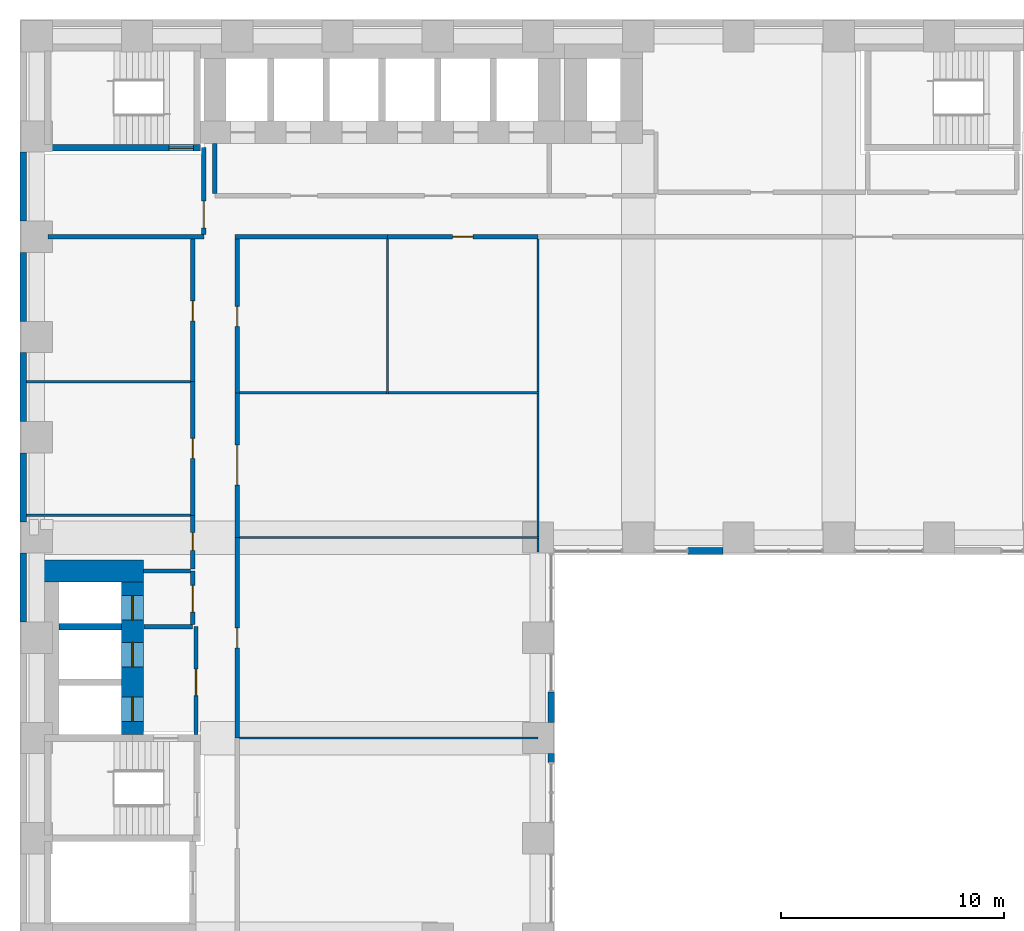
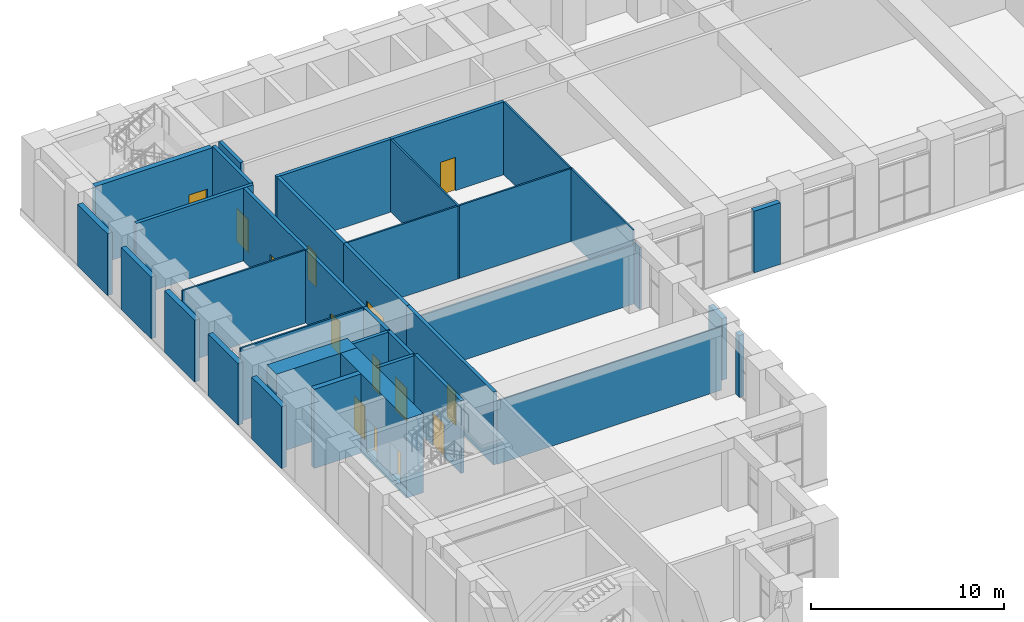
# One storey, part 19 of 34: 37 walls, 14 doors, 14 openings.
"""IFC4 building model written with IfcOpenShell, lengths in metres."""

from ifc_helpers import new_model, si_unit, direction, frame, frame_2d, origin, place, context, subcontext, project, spatial, rectangle, extrude, material, layer, layer_set, type_object, element, fill, save


model = new_model("IFC4")

# Units and contexts
model_context = context("Model", 3, precision=1e-05, world=origin(), true_north=direction((0.0, 1.0)))
body_context = subcontext(model_context, "Body", "Model", "MODEL_VIEW")
ifc_project = project(units=[si_unit("LENGTHUNIT", "METRE"), si_unit("AREAUNIT", "SQUARE_METRE"), si_unit("VOLUMEUNIT", "CUBIC_METRE"), si_unit("PLANEANGLEUNIT", "RADIAN"), si_unit("MASSUNIT", "GRAM", prefix="KILO")], contexts=[model_context])

# Site, building, storey
site_placement = place(None, origin())
site = spatial("IfcSite", under=ifc_project, at=site_placement, CompositionType="ELEMENT")
building_placement = place(site_placement, origin())
building = spatial("IfcBuilding", under=site, at=building_placement, Name="Firuza Court", CompositionType="ELEMENT")
storey_placement = place(building_placement, frame((0.0, 0.0, 14.0)))
storey = spatial("IfcBuildingStorey", under=building, at=storey_placement, Name="L02", CompositionType="ELEMENT", Elevation=14.0)

# Wall
ifc_material_1 = material(Name="Concrete C60/75", Category="concrete")
ifc_layer_1 = layer(ifc_material_1, 1.0)
ifc_layer_set_1 = layer_set([ifc_layer_1], Name="Concrete C60/75")
wall_type_1 = type_object("IfcWallType", Name="Core wall 1000 C60/75", PredefinedType="SHEAR", material=ifc_layer_set_1)
wall_1_placement = place(storey_placement, frame((0.0, 34.5, -0.39990234375), z_axis=(0.0, 0.0, 1.0), x_axis=(1.0, 0.0, 0.0)))
element("IfcWall", 1, at=wall_1_placement, inside=storey, type_object=wall_type_1, Name="Core wall lift shaft L02", PredefinedType="SHEAR", context=body_context, shape_type="SweptSolid", body=[
    extrude(rectangle(XDim=4.800048828125, YDim=1.0, at=frame_2d((2.39990234375, 0.0))), origin(), (0.0, 0.0, 1.0), 5.0),
])

# Wall, openings, doors
wall_2_placement = place(storey_placement, frame((4.300048828125, 27.14990234375, -0.39990234375), z_axis=(0.0, 0.0, 1.0), x_axis=(0.0, 1.0, 0.0)))
wall_2 = element("IfcWall", 2, at=wall_2_placement, inside=storey, type_object=wall_type_1, Name="Core wall lift shaft L02", PredefinedType="SHEAR", context=body_context, shape_type="SweptSolid", body=[
    extrude(rectangle(XDim=6.85009765625, YDim=1.0, at=frame_2d((3.425048828125, 0.0))), origin(), (0.0, 0.0, 1.0), 5.0),
])
opening_1_placement = place(wall_2_placement, frame((3.050048828125, 0.0, 0.39990234375)))
opening_1 = element("IfcOpeningElement", 3, at=opening_1_placement, cuts=wall_2, Name="Opening LD-FL1-02", PredefinedType="OPENING", context=body_context, shape_type="SweptSolid", body=[
    extrude(rectangle(XDim=1.10009765625, YDim=2.10009765625, at=frame_2d((0.550048828125, 1.050048828125))), frame((0.0, 0.511962890625, 0.0), z_axis=(0.0, -1.0, 0.0), x_axis=(1.0, 0.0, 0.0)), (0.0, 0.0, 1.0), 1.02392578125),
])
opening_2_placement = place(wall_2_placement, frame((0.60009765625, 0.0, 0.39990234375)))
opening_2 = element("IfcOpeningElement", 4, at=opening_2_placement, cuts=wall_2, Name="Opening LD-FL2-02", PredefinedType="OPENING", context=body_context, shape_type="SweptSolid", body=[
    extrude(rectangle(XDim=1.10009765625, YDim=2.10009765625, at=frame_2d((0.550048828125, 1.050048828125))), frame((0.0, 0.511962890625, 0.0), z_axis=(0.0, -1.0, 0.0), x_axis=(1.0, 0.0, 0.0)), (0.0, 0.0, 1.0), 1.02392578125),
])
opening_3_placement = place(wall_2_placement, frame((5.14990234375, 0.0, 0.39990234375)))
opening_3 = element("IfcOpeningElement", 5, at=opening_3_placement, cuts=wall_2, Name="Opening LD-SL1-02", PredefinedType="OPENING", context=body_context, shape_type="SweptSolid", body=[
    extrude(rectangle(XDim=1.10009765625, YDim=2.10009765625, at=frame_2d((0.550048828125, 1.050048828125))), frame((0.0, 0.511962890625, 0.0), z_axis=(0.0, -1.0, 0.0), x_axis=(1.0, 0.0, 0.0)), (0.0, 0.0, 1.0), 1.02392578125),
])
ifc_material_2 = material(Name="Stainless steel 1.4301 door leaf", Category="steel")
door_type_1 = type_object("IfcDoorType", Name="Lift landing door 1100", OperationType="SLIDING_TO_LEFT", PredefinedType="DOOR", material=ifc_material_2)
door_1_placement = place(opening_1_placement, origin())
door_1 = element("IfcDoor", 6, at=door_1_placement, inside=storey, type_object=door_type_1, Name="Landing door FL1", OperationType="SLIDING_TO_LEFT", OverallHeight=2.10009765625, OverallWidth=1.10009765625, PredefinedType="DOOR", context=body_context, shape_type="SweptSolid", body=[
    extrude(rectangle(XDim=1.10009765625, YDim=2.10009765625, at=frame_2d((0.550048828125, 1.050048828125))), frame((0.0, 0.02490234375, 0.0), z_axis=(0.0, -1.0, 0.0), x_axis=(1.0, 0.0, 0.0)), (0.0, 0.0, 1.0), 0.050048828125),
])
fill(opening_1, door_1)
door_2_placement = place(opening_2_placement, origin())
door_2 = element("IfcDoor", 7, at=door_2_placement, inside=storey, type_object=door_type_1, Name="Landing door FL2", OperationType="SLIDING_TO_LEFT", OverallHeight=2.10009765625, OverallWidth=1.10009765625, PredefinedType="DOOR", context=body_context, shape_type="SweptSolid", body=[
    extrude(rectangle(XDim=1.10009765625, YDim=2.10009765625, at=frame_2d((0.550048828125, 1.050048828125))), frame((0.0, 0.02490234375, 0.0), z_axis=(0.0, -1.0, 0.0), x_axis=(1.0, 0.0, 0.0)), (0.0, 0.0, 1.0), 0.050048828125),
])
fill(opening_2, door_2)
door_3_placement = place(opening_3_placement, origin())
door_3 = element("IfcDoor", 8, at=door_3_placement, inside=storey, type_object=door_type_1, Name="Landing door SL1", OperationType="SLIDING_TO_LEFT", OverallHeight=2.10009765625, OverallWidth=1.10009765625, PredefinedType="DOOR", context=body_context, shape_type="SweptSolid", body=[
    extrude(rectangle(XDim=1.10009765625, YDim=2.10009765625, at=frame_2d((0.550048828125, 1.050048828125))), frame((0.0, 0.02490234375, 0.0), z_axis=(0.0, -1.0, 0.0), x_axis=(1.0, 0.0, 0.0)), (0.0, 0.0, 1.0), 0.050048828125),
])
fill(opening_3, door_3)

# Wall, opening, door
ifc_layer_2 = layer(ifc_material_1, 0.300048828125)
ifc_layer_set_2 = layer_set([ifc_layer_2], Name="Concrete C60/75")
wall_type_2 = type_object("IfcWallType", Name="Core wall 300 C60/75", PredefinedType="SHEAR", material=ifc_layer_set_2)
wall_3_placement = place(storey_placement, frame((0.35009765625, 53.5, -0.39990234375), z_axis=(0.0, 0.0, 1.0), x_axis=(1.0, 0.0, 0.0)))
wall_3 = element("IfcWall", 9, at=wall_3_placement, inside=storey, type_object=wall_type_2, Name="Core wall stair L02", PredefinedType="SHEAR", context=body_context, shape_type="SweptSolid", body=[
    extrude(rectangle(XDim=7.0, YDim=0.300048828125, at=frame_2d((3.5, 0.0))), origin(), (0.0, 0.0, 1.0), 5.0),
])
opening_4_placement = place(wall_3_placement, frame((5.580078125, 0.0, 0.39990234375)))
opening_4 = element("IfcOpeningElement", 10, at=opening_4_placement, cuts=wall_3, Name="Opening D02016", PredefinedType="OPENING", context=body_context, shape_type="SweptSolid", body=[
    extrude(rectangle(XDim=1.10009765625, YDim=2.10009765625, at=frame_2d((0.550048828125, 1.050048828125))), frame((0.0, 0.162109375, 0.0), z_axis=(0.0, -1.0, 0.0), x_axis=(1.0, 0.0, 0.0)), (0.0, 0.0, 1.0), 0.323974609375),
])
ifc_material_3 = material(Name="Timber door leaf in hardwood frame", Category="wood")
door_type_2 = type_object("IfcDoorType", Name="Stair door 1100", OperationType="SINGLE_SWING_LEFT", PredefinedType="DOOR", material=ifc_material_3)
door_4_placement = place(opening_4_placement, origin())
door_4 = element("IfcDoor", 11, at=door_4_placement, inside=storey, type_object=door_type_2, Name="Stair door S3", OperationType="SINGLE_SWING_RIGHT", OverallHeight=2.10009765625, OverallWidth=1.10009765625, PredefinedType="DOOR", context=body_context, shape_type="SweptSolid", body=[
    extrude(rectangle(XDim=1.10009765625, YDim=2.10009765625, at=frame_2d((0.550048828125, 1.050048828125))), frame((0.0, 0.02490234375, 0.0), z_axis=(0.0, -1.0, 0.0), x_axis=(1.0, 0.0, 0.0)), (0.0, 0.0, 1.0), 0.050048828125),
])
fill(opening_4, door_4)

# Wall
wall_4_placement = place(storey_placement, frame((1.0, 32.0, -0.39990234375), z_axis=(0.0, 0.0, 1.0), x_axis=(1.0, 0.0, 0.0)))
element("IfcWall", 12, at=wall_4_placement, inside=storey, type_object=wall_type_2, Name="Core wall lift shaft L02", PredefinedType="SHEAR", context=body_context, shape_type="SweptSolid", body=[
    extrude(rectangle(XDim=2.800048828125, YDim=0.300048828125, at=frame_2d((1.39990234375, 0.0))), origin(), (0.0, 0.0, 1.0), 5.0),
])

# Wall, opening, door
ifc_material_4 = material(Name="Blockwork, plastered both sides", Category="masonry")
ifc_layer_3 = layer(ifc_material_4, 0.199951171875)
ifc_layer_set_3 = layer_set([ifc_layer_3], Name="Blockwork, plastered both sides")
wall_type_3 = type_object("IfcWallType", Name="Corridor wall 200", PredefinedType="PARTITIONING", material=ifc_layer_set_3)
wall_5_placement = place(storey_placement, frame((9.0, 27.0, 0.0), z_axis=(0.0, 0.0, 1.0), x_axis=(0.0, 1.0, 0.0)))
wall_5 = element("IfcWall", 13, at=wall_5_placement, inside=storey, type_object=wall_type_3, Name="Corridor wall 200 L02", PredefinedType="PARTITIONING", context=body_context, shape_type="SweptSolid", body=[
    extrude(rectangle(XDim=9.0, YDim=0.199951171875, at=frame_2d((4.5, 0.0))), origin(), (0.0, 0.0, 1.0), 4.60009765625),
])
opening_5_placement = place(wall_5_placement, frame((4.050048828125, 0.0, 0.0)))
opening_5 = element("IfcOpeningElement", 14, at=opening_5_placement, cuts=wall_5, Name="Opening D02025", PredefinedType="OPENING", context=body_context, shape_type="SweptSolid", body=[
    extrude(rectangle(XDim=0.89990234375, YDim=2.10009765625, at=frame_2d((0.449951171875, 1.050048828125))), frame((0.0, 0.11181640625, 0.0), z_axis=(0.0, -1.0, 0.0), x_axis=(1.0, 0.0, 0.0)), (0.0, 0.0, 1.0), 0.223876953125),
])
ifc_material_5 = material(Name="Timber door leaf in hardwood frame", Category="wood")
door_type_3 = type_object("IfcDoorType", Name="Room door 900 EI 30", OperationType="SINGLE_SWING_LEFT", PredefinedType="DOOR", material=ifc_material_5)
door_5_placement = place(opening_5_placement, frame((0.89990234375, 0.0, 0.0), z_axis=(0.0, 0.0, 1.0), x_axis=(-1.0, 0.0, 0.0)))
door_5 = element("IfcDoor", 15, at=door_5_placement, inside=storey, type_object=door_type_3, Name="Room door", OperationType="SINGLE_SWING_RIGHT", OverallHeight=2.10009765625, OverallWidth=0.89990234375, PredefinedType="DOOR", context=body_context, shape_type="SweptSolid", body=[
    extrude(rectangle(XDim=0.89990234375, YDim=2.10009765625, at=frame_2d((0.449951171875, 1.050048828125))), frame((0.0, 0.02490234375, 0.0), z_axis=(0.0, -1.0, 0.0), x_axis=(1.0, 0.0, 0.0)), (0.0, 0.0, 1.0), 0.050048828125),
])
fill(opening_5, door_5)

wall_6_placement = place(storey_placement, frame((9.0, 36.0, 0.0), z_axis=(0.0, 0.0, 1.0), x_axis=(0.0, 1.0, 0.0)))
wall_6 = element("IfcWall", 16, at=wall_6_placement, inside=storey, type_object=wall_type_3, Name="Corridor wall 200 L02", PredefinedType="PARTITIONING", context=body_context, shape_type="SweptSolid", body=[
    extrude(rectangle(XDim=6.5, YDim=0.199951171875, at=frame_2d((3.25, 0.0))), origin(), (0.0, 0.0, 1.0), 4.60009765625),
])
opening_6_placement = place(wall_6_placement, frame((2.35009765625, 0.0, 0.0)))
opening_6 = element("IfcOpeningElement", 17, at=opening_6_placement, cuts=wall_6, Name="Opening D02026", PredefinedType="OPENING", context=body_context, shape_type="SweptSolid", body=[
    extrude(rectangle(XDim=1.800048828125, YDim=2.39990234375, at=frame_2d((0.89990234375, 1.199951171875))), frame((0.0, 0.11181640625, 0.0), z_axis=(0.0, -1.0, 0.0), x_axis=(1.0, 0.0, 0.0)), (0.0, 0.0, 1.0), 0.223876953125),
])
ifc_material_6 = material(Name="Timber door leaf in hardwood frame", Category="wood")
door_type_4 = type_object("IfcDoorType", Name="Double door 1800 EI 30", OperationType="DOUBLE_DOOR_SINGLE_SWING", PredefinedType="DOOR", material=ifc_material_6)
door_6_placement = place(opening_6_placement, origin())
door_6 = element("IfcDoor", 18, at=door_6_placement, inside=storey, type_object=door_type_4, Name="Double door", OperationType="DOUBLE_DOOR_SINGLE_SWING", OverallHeight=2.39990234375, OverallWidth=1.800048828125, PredefinedType="DOOR", context=body_context, shape_type="SweptSolid", body=[
    extrude(rectangle(XDim=1.800048828125, YDim=2.39990234375, at=frame_2d((0.89990234375, 1.199951171875))), frame((0.0, 0.02490234375, 0.0), z_axis=(0.0, -1.0, 0.0), x_axis=(1.0, 0.0, 0.0)), (0.0, 0.0, 1.0), 0.050048828125),
])
fill(opening_6, door_6)

wall_7_placement = place(storey_placement, frame((7.0, 37.0, 0.0), z_axis=(0.0, 0.0, 1.0), x_axis=(0.0, -1.0, 0.0)))
wall_7 = element("IfcWall", 19, at=wall_7_placement, inside=storey, type_object=wall_type_3, Name="Corridor wall 200 L02", PredefinedType="PARTITIONING", context=body_context, shape_type="SweptSolid", body=[
    extrude(rectangle(XDim=2.39990234375, YDim=0.199951171875, at=frame_2d((1.199951171875, 0.0))), origin(), (0.0, 0.0, 1.0), 4.60009765625),
])
opening_7_placement = place(wall_7_placement, frame((0.77490234375, 0.0, 0.0)))
opening_7 = element("IfcOpeningElement", 20, at=opening_7_placement, cuts=wall_7, Name="Opening D02027", PredefinedType="OPENING", context=body_context, shape_type="SweptSolid", body=[
    extrude(rectangle(XDim=0.800048828125, YDim=2.10009765625, at=frame_2d((0.39990234375, 1.050048828125))), frame((0.0, 0.11181640625, 0.0), z_axis=(0.0, -1.0, 0.0), x_axis=(1.0, 0.0, 0.0)), (0.0, 0.0, 1.0), 0.223876953125),
])
ifc_material_7 = material(Name="Timber door leaf in hardwood frame", Category="wood")
door_type_5 = type_object("IfcDoorType", Name="Room door 800 EI 30", OperationType="SINGLE_SWING_LEFT", PredefinedType="DOOR", material=ifc_material_7)
door_7_placement = place(opening_7_placement, frame((0.800048828125, 0.0, 0.0), z_axis=(0.0, 0.0, 1.0), x_axis=(-1.0, 0.0, 0.0)))
door_7 = element("IfcDoor", 21, at=door_7_placement, inside=storey, type_object=door_type_5, Name="Room door", OperationType="SINGLE_SWING_RIGHT", OverallHeight=2.10009765625, OverallWidth=0.800048828125, PredefinedType="DOOR", context=body_context, shape_type="SweptSolid", body=[
    extrude(rectangle(XDim=0.800048828125, YDim=2.10009765625, at=frame_2d((0.39990234375, 1.050048828125))), frame((0.0, 0.02490234375, 0.0), z_axis=(0.0, -1.0, 0.0), x_axis=(1.0, 0.0, 0.0)), (0.0, 0.0, 1.0), 0.050048828125),
])
fill(opening_7, door_7)

wall_8_placement = place(storey_placement, frame((9.0, 42.5, 0.0), z_axis=(0.0, 0.0, 1.0), x_axis=(0.0, 1.0, 0.0)))
wall_8 = element("IfcWall", 22, at=wall_8_placement, inside=storey, type_object=wall_type_3, Name="Corridor wall 200 L02", PredefinedType="PARTITIONING", context=body_context, shape_type="SweptSolid", body=[
    extrude(rectangle(XDim=6.89990234375, YDim=0.199951171875, at=frame_2d((3.449951171875, 0.0))), origin(), (0.0, 0.0, 1.0), 4.60009765625),
])
opening_8_placement = place(wall_8_placement, frame((2.97509765625, 0.0, 0.0)))
opening_8 = element("IfcOpeningElement", 23, at=opening_8_placement, cuts=wall_8, Name="Opening D02029", PredefinedType="OPENING", context=body_context, shape_type="SweptSolid", body=[
    extrude(rectangle(XDim=0.89990234375, YDim=2.10009765625, at=frame_2d((0.449951171875, 1.050048828125))), frame((0.0, 0.11181640625, 0.0), z_axis=(0.0, -1.0, 0.0), x_axis=(1.0, 0.0, 0.0)), (0.0, 0.0, 1.0), 0.223876953125),
])
door_8_placement = place(opening_8_placement, frame((0.89990234375, 0.0, 0.0), z_axis=(0.0, 0.0, 1.0), x_axis=(-1.0, 0.0, 0.0)))
door_8 = element("IfcDoor", 24, at=door_8_placement, inside=storey, type_object=door_type_3, Name="Room door", OperationType="SINGLE_SWING_RIGHT", OverallHeight=2.10009765625, OverallWidth=0.89990234375, PredefinedType="DOOR", context=body_context, shape_type="SweptSolid", body=[
    extrude(rectangle(XDim=0.89990234375, YDim=2.10009765625, at=frame_2d((0.449951171875, 1.050048828125))), frame((0.0, 0.02490234375, 0.0), z_axis=(0.0, -1.0, 0.0), x_axis=(1.0, 0.0, 0.0)), (0.0, 0.0, 1.0), 0.050048828125),
])
fill(opening_8, door_8)

wall_9_placement = place(storey_placement, frame((7.0, 43.0, 0.0), z_axis=(0.0, 0.0, 1.0), x_axis=(0.0, -1.0, 0.0)))
wall_9 = element("IfcWall", 25, at=wall_9_placement, inside=storey, type_object=wall_type_3, Name="Corridor wall 200 L02", PredefinedType="PARTITIONING", context=body_context, shape_type="SweptSolid", body=[
    extrude(rectangle(XDim=6.0, YDim=0.199951171875, at=frame_2d((3.0, 0.0))), origin(), (0.0, 0.0, 1.0), 4.60009765625),
])
opening_9_placement = place(wall_9_placement, frame((2.550048828125, 0.0, 0.0)))
opening_9 = element("IfcOpeningElement", 26, at=opening_9_placement, cuts=wall_9, Name="Opening D02030", PredefinedType="OPENING", context=body_context, shape_type="SweptSolid", body=[
    extrude(rectangle(XDim=0.89990234375, YDim=2.10009765625, at=frame_2d((0.449951171875, 1.050048828125))), frame((0.0, 0.11181640625, 0.0), z_axis=(0.0, -1.0, 0.0), x_axis=(1.0, 0.0, 0.0)), (0.0, 0.0, 1.0), 0.223876953125),
])
door_9_placement = place(opening_9_placement, frame((0.89990234375, 0.0, 0.0), z_axis=(0.0, 0.0, 1.0), x_axis=(-1.0, 0.0, 0.0)))
door_9 = element("IfcDoor", 27, at=door_9_placement, inside=storey, type_object=door_type_3, Name="Room door", OperationType="SINGLE_SWING_RIGHT", OverallHeight=2.10009765625, OverallWidth=0.89990234375, PredefinedType="DOOR", context=body_context, shape_type="SweptSolid", body=[
    extrude(rectangle(XDim=0.89990234375, YDim=2.10009765625, at=frame_2d((0.449951171875, 1.050048828125))), frame((0.0, 0.02490234375, 0.0), z_axis=(0.0, -1.0, 0.0), x_axis=(1.0, 0.0, 0.0)), (0.0, 0.0, 1.0), 0.050048828125),
])
fill(opening_9, door_9)

wall_10_placement = place(storey_placement, frame((7.0, 49.39990234375, 0.0), z_axis=(0.0, 0.0, 1.0), x_axis=(0.0, -1.0, 0.0)))
wall_10 = element("IfcWall", 28, at=wall_10_placement, inside=storey, type_object=wall_type_3, Name="Corridor wall 200 L02", PredefinedType="PARTITIONING", context=body_context, shape_type="SweptSolid", body=[
    extrude(rectangle(XDim=6.39990234375, YDim=0.199951171875, at=frame_2d((3.199951171875, 0.0))), origin(), (0.0, 0.0, 1.0), 4.60009765625),
])
opening_10_placement = place(wall_10_placement, frame((2.77490234375, 0.0, 0.0)))
opening_10 = element("IfcOpeningElement", 29, at=opening_10_placement, cuts=wall_10, Name="Opening D02032", PredefinedType="OPENING", context=body_context, shape_type="SweptSolid", body=[
    extrude(rectangle(XDim=0.89990234375, YDim=2.10009765625, at=frame_2d((0.449951171875, 1.050048828125))), frame((0.0, 0.11181640625, 0.0), z_axis=(0.0, -1.0, 0.0), x_axis=(1.0, 0.0, 0.0)), (0.0, 0.0, 1.0), 0.223876953125),
])
door_10_placement = place(opening_10_placement, origin())
door_10 = element("IfcDoor", 30, at=door_10_placement, inside=storey, type_object=door_type_3, Name="Room door", OperationType="SINGLE_SWING_LEFT", OverallHeight=2.10009765625, OverallWidth=0.89990234375, PredefinedType="DOOR", context=body_context, shape_type="SweptSolid", body=[
    extrude(rectangle(XDim=0.89990234375, YDim=2.10009765625, at=frame_2d((0.449951171875, 1.050048828125))), frame((0.0, 0.02490234375, 0.0), z_axis=(0.0, -1.0, 0.0), x_axis=(1.0, 0.0, 0.0)), (0.0, 0.0, 1.0), 0.050048828125),
])
fill(opening_10, door_10)

# Wall
wall_11_placement = place(storey_placement, frame((8.89990234375, 49.5, 0.0), z_axis=(0.0, 0.0, 1.0), x_axis=(1.0, 0.0, 0.0)))
element("IfcWall", 31, at=wall_11_placement, inside=storey, type_object=wall_type_3, Name="Corridor wall 200 L02", PredefinedType="PARTITIONING", context=body_context, shape_type="SweptSolid", body=[
    extrude(rectangle(XDim=6.85009765625, YDim=0.199951171875, at=frame_2d((3.425048828125, 0.0))), origin(), (0.0, 0.0, 1.0), 4.60009765625),
])

# Wall, opening, door
wall_12_placement = place(storey_placement, frame((15.75, 49.5, 0.0), z_axis=(0.0, 0.0, 1.0), x_axis=(1.0, 0.0, 0.0)))
wall_12 = element("IfcWall", 32, at=wall_12_placement, inside=storey, type_object=wall_type_3, Name="Corridor wall 200 L02", PredefinedType="PARTITIONING", context=body_context, shape_type="SweptSolid", body=[
    extrude(rectangle(XDim=6.75, YDim=0.199951171875, at=frame_2d((3.375, 0.0))), origin(), (0.0, 0.0, 1.0), 4.60009765625),
])
opening_11_placement = place(wall_12_placement, frame((2.925048828125, 0.0, 0.0)))
opening_11 = element("IfcOpeningElement", 33, at=opening_11_placement, cuts=wall_12, Name="Opening D02033", PredefinedType="OPENING", context=body_context, shape_type="SweptSolid", body=[
    extrude(rectangle(XDim=0.89990234375, YDim=2.10009765625, at=frame_2d((0.449951171875, 1.050048828125))), frame((0.0, 0.11181640625, 0.0), z_axis=(0.0, -1.0, 0.0), x_axis=(1.0, 0.0, 0.0)), (0.0, 0.0, 1.0), 0.223876953125),
])
door_11_placement = place(opening_11_placement, frame((0.89990234375, 0.0, 0.0), z_axis=(0.0, 0.0, 1.0), x_axis=(-1.0, 0.0, 0.0)))
door_11 = element("IfcDoor", 34, at=door_11_placement, inside=storey, type_object=door_type_3, Name="Room door", OperationType="SINGLE_SWING_RIGHT", OverallHeight=2.10009765625, OverallWidth=0.89990234375, PredefinedType="DOOR", context=body_context, shape_type="SweptSolid", body=[
    extrude(rectangle(XDim=0.89990234375, YDim=2.10009765625, at=frame_2d((0.449951171875, 1.050048828125))), frame((0.0, 0.02490234375, 0.0), z_axis=(0.0, -1.0, 0.0), x_axis=(1.0, 0.0, 0.0)), (0.0, 0.0, 1.0), 0.050048828125),
])
fill(opening_11, door_11)

# Walls
ifc_material_8 = material(Name="Timber stud partition, plasterboard both sides", Category="wood")
ifc_layer_4 = layer(ifc_material_8, 0.10009765625)
ifc_layer_set_4 = layer_set([ifc_layer_4], Name="Timber stud partition, plasterboard both sides")
wall_type_4 = type_object("IfcWallType", Name="Partition wall 100", PredefinedType="PARTITIONING", material=ifc_layer_set_4)
wall_13_placement = place(storey_placement, frame((22.5, 27.0, 0.0), z_axis=(0.0, 0.0, 1.0), x_axis=(-1.0, 0.0, 0.0)))
element("IfcWall", 35, at=wall_13_placement, inside=storey, type_object=wall_type_4, Name="Partition wall 100 L02", PredefinedType="PARTITIONING", context=body_context, shape_type="SweptSolid", body=[
    extrude(rectangle(XDim=13.39990234375, YDim=0.10009765625, at=frame_2d((6.699951171875, 0.0))), origin(), (0.0, 0.0, 1.0), 4.0),
])
wall_14_placement = place(storey_placement, frame((22.5, 35.35009765625, 0.0), z_axis=(0.0, 0.0, 1.0), x_axis=(0.0, 1.0, 0.0)))
element("IfcWall", 36, at=wall_14_placement, inside=storey, type_object=wall_type_4, Name="Partition wall 100 L02", PredefinedType="PARTITIONING", context=body_context, shape_type="SweptSolid", body=[
    extrude(rectangle(XDim=0.599853515625, YDim=0.10009765625, at=frame_2d((0.2998046875, 0.0))), origin(), (0.0, 0.0, 1.0), 3.89990234375),
])
wall_15_placement = place(storey_placement, frame((22.550048828125, 36.0, 0.0), z_axis=(0.0, 0.0, 1.0), x_axis=(-1.0, 0.0, 0.0)))
element("IfcWall", 37, at=wall_15_placement, inside=storey, type_object=wall_type_4, Name="Partition wall 100 L02", PredefinedType="PARTITIONING", context=body_context, shape_type="SweptSolid", body=[
    extrude(rectangle(XDim=13.449951171875, YDim=0.10009765625, at=frame_2d((6.72509765625, 0.0))), origin(), (0.0, 0.0, 1.0), 3.699951171875),
])
wall_16_placement = place(storey_placement, frame((22.5, 36.050048828125, 0.0), z_axis=(0.0, 0.0, 1.0), x_axis=(0.0, 1.0, 0.0)))
element("IfcWall", 38, at=wall_16_placement, inside=storey, type_object=wall_type_4, Name="Partition wall 100 L02", PredefinedType="PARTITIONING", context=body_context, shape_type="SweptSolid", body=[
    extrude(rectangle(XDim=6.39990234375, YDim=0.10009765625, at=frame_2d((3.199951171875, 0.0))), origin(), (0.0, 0.0, 1.0), 4.60009765625),
])
wall_17_placement = place(storey_placement, frame((-0.449951171875, 37.0, 0.0), z_axis=(0.0, 0.0, 1.0), x_axis=(1.0, 0.0, 0.0)))
element("IfcWall", 39, at=wall_17_placement, inside=storey, type_object=wall_type_4, Name="Partition wall 100 L02", PredefinedType="PARTITIONING", context=body_context, shape_type="SweptSolid", body=[
    extrude(rectangle(XDim=7.349853515625, YDim=0.10009765625, at=frame_2d((3.6748046875, 0.0))), origin(), (0.0, 0.0, 1.0), 4.60009765625),
])
wall_18_placement = place(storey_placement, frame((9.10009765625, 42.5, 0.0), z_axis=(0.0, 0.0, 1.0), x_axis=(1.0, 0.0, 0.0)))
element("IfcWall", 40, at=wall_18_placement, inside=storey, type_object=wall_type_4, Name="Partition wall 100 L02", PredefinedType="PARTITIONING", context=body_context, shape_type="SweptSolid", body=[
    extrude(rectangle(XDim=6.599853515625, YDim=0.10009765625, at=frame_2d((3.2998046875, 0.0))), origin(), (0.0, 0.0, 1.0), 4.60009765625),
])
wall_19_placement = place(storey_placement, frame((15.800048828125, 42.5, 0.0), z_axis=(0.0, 0.0, 1.0), x_axis=(1.0, 0.0, 0.0)))
element("IfcWall", 41, at=wall_19_placement, inside=storey, type_object=wall_type_4, Name="Partition wall 100 L02", PredefinedType="PARTITIONING", context=body_context, shape_type="SweptSolid", body=[
    extrude(rectangle(XDim=6.75, YDim=0.10009765625, at=frame_2d((3.375, 0.0))), origin(), (0.0, 0.0, 1.0), 4.60009765625),
])
wall_20_placement = place(storey_placement, frame((22.5, 42.550048828125, 0.0), z_axis=(0.0, 0.0, 1.0), x_axis=(0.0, 1.0, 0.0)))
element("IfcWall", 42, at=wall_20_placement, inside=storey, type_object=wall_type_4, Name="Partition wall 100 L02", PredefinedType="PARTITIONING", context=body_context, shape_type="SweptSolid", body=[
    extrude(rectangle(XDim=6.849853515625, YDim=0.10009765625, at=frame_2d((3.4248046875, 0.0))), origin(), (0.0, 0.0, 1.0), 4.60009765625),
])
wall_21_placement = place(storey_placement, frame((-0.449951171875, 43.0, 0.0), z_axis=(0.0, 0.0, 1.0), x_axis=(1.0, 0.0, 0.0)))
element("IfcWall", 43, at=wall_21_placement, inside=storey, type_object=wall_type_4, Name="Partition wall 100 L02", PredefinedType="PARTITIONING", context=body_context, shape_type="SweptSolid", body=[
    extrude(rectangle(XDim=7.349853515625, YDim=0.10009765625, at=frame_2d((3.6748046875, 0.0))), origin(), (0.0, 0.0, 1.0), 4.60009765625),
])
wall_22_placement = place(storey_placement, frame((15.75, 49.39990234375, 0.0), z_axis=(0.0, 0.0, 1.0), x_axis=(0.0, -1.0, 0.0)))
element("IfcWall", 44, at=wall_22_placement, inside=storey, type_object=wall_type_4, Name="Partition wall 100 L02", PredefinedType="PARTITIONING", context=body_context, shape_type="SweptSolid", body=[
    extrude(rectangle(XDim=6.949951171875, YDim=0.10009765625, at=frame_2d((3.47509765625, 0.0))), origin(), (0.0, 0.0, 1.0), 4.60009765625),
])
ifc_material_9 = material(Name="Ceramic tile", Category="ceramic")
ifc_layer_5 = layer(ifc_material_9, 0.02001953125)
ifc_material_10 = material(Name="Mineral wool insulation", Category="insulation")
ifc_layer_6 = layer(ifc_material_10, 0.1298828125)
ifc_material_11 = material(Name="Concrete C40/50 precast", Category="concrete")
ifc_layer_7 = layer(ifc_material_11, 0.14990234375)
ifc_layer_set_5 = layer_set([ifc_layer_5, ifc_layer_6, ifc_layer_7], Name="Concrete C40/50 precast")
wall_type_5 = type_object("IfcWallType", Name="Precast spandrel wall with turquoise TILE PANEL face 300", PredefinedType="STANDARD", material=ifc_layer_set_5)
wall_23_placement = place(storey_placement, frame((23.10009765625, 25.912353515625, 0.0), z_axis=(0.0, 0.0, 1.0), x_axis=(0.0, 1.0, 0.0)))
element("IfcWall", 45, at=wall_23_placement, inside=storey, type_object=wall_type_5, Name="Facade wall L02 E", PredefinedType="STANDARD", context=body_context, shape_type="SweptSolid", body=[
    extrude(rectangle(XDim=0.3876953125, YDim=0.300048828125, at=frame_2d((0.19384765625, 0.0))), origin(), (0.0, 0.0, 1.0), 3.89990234375),
])
wall_24_placement = place(storey_placement, frame((23.10009765625, 27.699951171875, 0.0), z_axis=(0.0, 0.0, 1.0), x_axis=(0.0, 1.0, 0.0)))
element("IfcWall", 46, at=wall_24_placement, inside=storey, type_object=wall_type_5, Name="Facade wall L02 E", PredefinedType="STANDARD", context=body_context, shape_type="SweptSolid", body=[
    extrude(rectangle(XDim=1.36865234375, YDim=0.300048828125, at=frame_2d((0.684326171875, 0.0))), origin(), (0.0, 0.0, 1.0), 3.89990234375),
])
wall_25_placement = place(storey_placement, frame((29.23583984375, 35.39990234375, 0.0), z_axis=(0.0, 0.0, 1.0), x_axis=(1.0, 0.0, 0.0)))
element("IfcWall", 47, at=wall_25_placement, inside=storey, type_object=wall_type_5, Name="Facade wall L02 S", PredefinedType="STANDARD", context=body_context, shape_type="SweptSolid", body=[
    extrude(rectangle(XDim=1.564208984375, YDim=0.300048828125, at=frame_2d((0.7822265625, 0.0))), origin(), (0.0, 0.0, 1.0), 3.89990234375),
])
for number, where, z_axis, x_axis, name in (
    (48, (-0.60009765625, 53.300048828125, 0.0), (0.0, 0.0, 1.0), (0.0, -1.0, 0.0), "Facade wall L02 W"),
    (49, (-0.60009765625, 48.800048828125, 0.0), (0.0, 0.0, 1.0), (0.0, -1.0, 0.0), "Facade wall L02 W"),
    (50, (-0.60009765625, 44.300048828125, 0.0), (0.0, 0.0, 1.0), (0.0, -1.0, 0.0), "Facade wall L02 W"),
    (51, (-0.60009765625, 39.800048828125, 0.0), (0.0, 0.0, 1.0), (0.0, -1.0, 0.0), "Facade wall L02 W"),
    (52, (-0.60009765625, 35.300048828125, 0.0), (0.0, 0.0, 1.0), (0.0, -1.0, 0.0), "Facade wall L02 W"),
):
    element("IfcWall", number, at=place(storey_placement, frame(where, z_axis=z_axis, x_axis=x_axis)), inside=storey, type_object=wall_type_5, Name=name, PredefinedType="STANDARD", context=body_context, shape_type="SweptSolid", body=[
        extrude(rectangle(XDim=3.10009765625, YDim=0.300048828125, at=frame_2d((1.550048828125, 0.0))), origin(), (0.0, 0.0, 1.0), 3.89990234375),
    ])
ifc_material_12 = material(Name="Blockwork, fire-rated", Category="masonry")
ifc_layer_8 = layer(ifc_material_12, 0.199951171875)
ifc_layer_set_6 = layer_set([ifc_layer_8], Name="Blockwork, fire-rated")
wall_type_6 = type_object("IfcWallType", Name="Shaft wall 200", PredefinedType="PARTITIONING", material=ifc_layer_set_6)
wall_26_placement = place(storey_placement, frame((8.0, 51.449951171875, 0.0), z_axis=(0.0, 0.0, 1.0), x_axis=(0.0, 1.0, 0.0)))
element("IfcWall", 53, at=wall_26_placement, inside=storey, type_object=wall_type_6, Name="Shaft wall 200 L02", PredefinedType="PARTITIONING", context=body_context, shape_type="SweptSolid", body=[
    extrude(rectangle(XDim=2.22998046875, YDim=0.199951171875, at=frame_2d((1.114990234375, 0.0))), origin(), (0.0, 0.0, 1.0), 4.60009765625),
])
wall_27_placement = place(storey_placement, frame((4.820068359375, 32.0, 0.0), z_axis=(0.0, 0.0, 1.0), x_axis=(1.0, 0.0, 0.0)))
element("IfcWall", 54, at=wall_27_placement, inside=storey, type_object=wall_type_6, Name="Shaft wall 200 L02", PredefinedType="PARTITIONING", context=body_context, shape_type="SweptSolid", body=[
    extrude(rectangle(XDim=2.179931640625, YDim=0.199951171875, at=frame_2d((1.08984375, 0.0))), origin(), (0.0, 0.0, 1.0), 4.60009765625),
])

# Wall, opening, door
wall_28_placement = place(storey_placement, frame((7.0, 32.10009765625, 0.0), z_axis=(0.0, 0.0, 1.0), x_axis=(0.0, 1.0, 0.0)))
wall_28 = element("IfcWall", 55, at=wall_28_placement, inside=storey, type_object=wall_type_6, Name="Shaft wall 200 L02", PredefinedType="PARTITIONING", context=body_context, shape_type="SweptSolid", body=[
    extrude(rectangle(XDim=2.39990234375, YDim=0.199951171875, at=frame_2d((1.199951171875, 0.0))), origin(), (0.0, 0.0, 1.0), 4.60009765625),
])
opening_12_placement = place(wall_28_placement, frame((0.550048828125, 0.0, 0.0)))
opening_12 = element("IfcOpeningElement", 56, at=opening_12_placement, cuts=wall_28, Name="Opening D02008", PredefinedType="OPENING", context=body_context, shape_type="SweptSolid", body=[
    extrude(rectangle(XDim=1.199951171875, YDim=2.10009765625, at=frame_2d((0.60009765625, 1.050048828125))), frame((0.0, 0.11181640625, 0.0), z_axis=(0.0, -1.0, 0.0), x_axis=(1.0, 0.0, 0.0)), (0.0, 0.0, 1.0), 0.223876953125),
])
ifc_material_13 = material(Name="Timber door leaf in hardwood frame", Category="wood")
door_type_6 = type_object("IfcDoorType", Name="Lobby door 1200", OperationType="SINGLE_SWING_LEFT", PredefinedType="DOOR", material=ifc_material_13)
door_12_placement = place(opening_12_placement, origin())
door_12 = element("IfcDoor", 57, at=door_12_placement, inside=storey, type_object=door_type_6, Name="Lobby door", OperationType="SINGLE_SWING_LEFT", OverallHeight=2.10009765625, OverallWidth=1.199951171875, PredefinedType="DOOR", context=body_context, shape_type="SweptSolid", body=[
    extrude(rectangle(XDim=1.199951171875, YDim=2.10009765625, at=frame_2d((0.60009765625, 1.050048828125))), frame((0.0, 0.02490234375, 0.0), z_axis=(0.0, -1.0, 0.0), x_axis=(1.0, 0.0, 0.0)), (0.0, 0.0, 1.0), 0.050048828125),
])
fill(opening_12, door_12)

# Wall
wall_29_placement = place(storey_placement, frame((4.800048828125, 34.5, 0.0), z_axis=(0.0, 0.0, 1.0), x_axis=(1.0, 0.0, 0.0)))
element("IfcWall", 58, at=wall_29_placement, inside=storey, type_object=wall_type_6, Name="Shaft wall 200 L02", PredefinedType="PARTITIONING", context=body_context, shape_type="SweptSolid", body=[
    extrude(rectangle(XDim=2.099853515625, YDim=0.199951171875, at=frame_2d((1.0498046875, 0.0))), origin(), (0.0, 0.0, 1.0), 4.60009765625),
])

# Wall, opening, door
wall_30_placement = place(storey_placement, frame((7.14990234375, 27.169921875, 0.0), z_axis=(0.0, 0.0, 1.0), x_axis=(0.0, 1.0, 0.0)))
wall_30 = element("IfcWall", 59, at=wall_30_placement, inside=storey, type_object=wall_type_6, Name="Shaft wall 200 L02", PredefinedType="PARTITIONING", context=body_context, shape_type="SweptSolid", body=[
    extrude(rectangle(XDim=4.830078125, YDim=0.199951171875, at=frame_2d((2.4150390625, 0.0))), origin(), (0.0, 0.0, 1.0), 4.60009765625),
])
opening_13_placement = place(wall_30_placement, frame((1.72998046875, 0.0, 0.0)))
opening_13 = element("IfcOpeningElement", 60, at=opening_13_placement, cuts=wall_30, Name="Opening D02002", PredefinedType="OPENING", context=body_context, shape_type="SweptSolid", body=[
    extrude(rectangle(XDim=1.199951171875, YDim=2.10009765625, at=frame_2d((0.60009765625, 1.050048828125))), frame((0.0, 0.11181640625, 0.0), z_axis=(0.0, -1.0, 0.0), x_axis=(1.0, 0.0, 0.0)), (0.0, 0.0, 1.0), 0.223876953125),
])
door_13_placement = place(opening_13_placement, origin())
door_13 = element("IfcDoor", 61, at=door_13_placement, inside=storey, type_object=door_type_6, Name="Fire-fighting lobby door", OperationType="SINGLE_SWING_LEFT", OverallHeight=2.10009765625, OverallWidth=1.199951171875, PredefinedType="DOOR", context=body_context, shape_type="SweptSolid", body=[
    extrude(rectangle(XDim=1.199951171875, YDim=2.10009765625, at=frame_2d((0.60009765625, 1.050048828125))), frame((0.0, 0.02490234375, 0.0), z_axis=(0.0, -1.0, 0.0), x_axis=(1.0, 0.0, 0.0)), (0.0, 0.0, 1.0), 0.050048828125),
])
fill(opening_13, door_13)

# Wall
wall_31_placement = place(storey_placement, frame((0.5, 49.5, 0.0), z_axis=(0.0, 0.0, 1.0), x_axis=(1.0, 0.0, 0.0)))
element("IfcWall", 62, at=wall_31_placement, inside=storey, type_object=wall_type_6, Name="Shaft wall 200 L02", PredefinedType="PARTITIONING", context=body_context, shape_type="SweptSolid", body=[
    extrude(rectangle(XDim=7.0, YDim=0.199951171875, at=frame_2d((3.5, 0.0))), origin(), (0.0, 0.0, 1.0), 4.60009765625),
])

# Wall, opening, door
wall_32_placement = place(storey_placement, frame((7.5, 49.60009765625, 0.0), z_axis=(0.0, 0.0, 1.0), x_axis=(0.0, 1.0, 0.0)))
wall_32 = element("IfcWall", 63, at=wall_32_placement, inside=storey, type_object=wall_type_6, Name="Shaft wall 200 L02", PredefinedType="PARTITIONING", context=body_context, shape_type="SweptSolid", body=[
    extrude(rectangle(XDim=3.89990234375, YDim=0.199951171875, at=frame_2d((1.949951171875, 0.0))), origin(), (0.0, 0.0, 1.0), 4.60009765625),
])
opening_14_placement = place(wall_32_placement, frame((0.300048828125, 0.0, 0.0)))
opening_14 = element("IfcOpeningElement", 64, at=opening_14_placement, cuts=wall_32, Name="Opening D02001", PredefinedType="OPENING", context=body_context, shape_type="SweptSolid", body=[
    extrude(rectangle(XDim=1.199951171875, YDim=2.10009765625, at=frame_2d((0.60009765625, 1.050048828125))), frame((0.0, 0.11181640625, 0.0), z_axis=(0.0, -1.0, 0.0), x_axis=(1.0, 0.0, 0.0)), (0.0, 0.0, 1.0), 0.223876953125),
])
door_14_placement = place(opening_14_placement, origin())
door_14 = element("IfcDoor", 65, at=door_14_placement, inside=storey, type_object=door_type_6, Name="Lobby door", OperationType="SINGLE_SWING_LEFT", OverallHeight=2.10009765625, OverallWidth=1.199951171875, PredefinedType="DOOR", context=body_context, shape_type="SweptSolid", body=[
    extrude(rectangle(XDim=1.199951171875, YDim=2.10009765625, at=frame_2d((0.60009765625, 1.050048828125))), frame((0.0, 0.02490234375, 0.0), z_axis=(0.0, -1.0, 0.0), x_axis=(1.0, 0.0, 0.0)), (0.0, 0.0, 1.0), 0.050048828125),
])
fill(opening_14, door_14)

save(model, "model.ifc")
